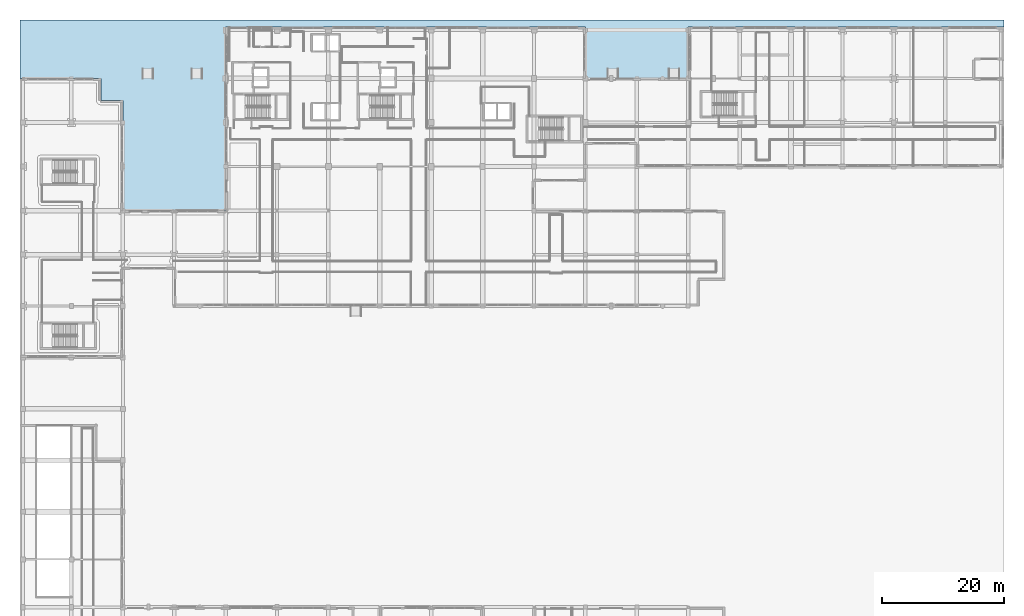
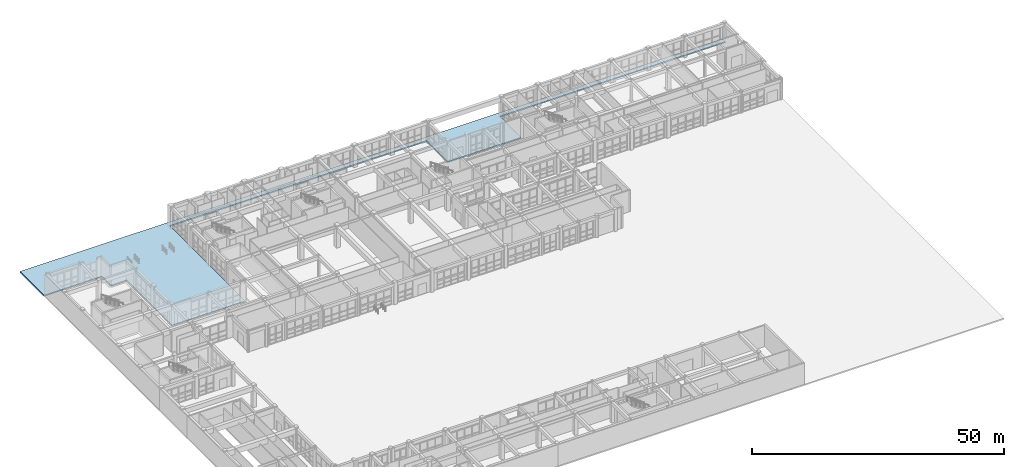
# One storey, part 118 of 148: 1 slab.
"""IFC4 building model written with IfcOpenShell, lengths in metres."""

from ifc_helpers import new_model, si_unit, direction, frame, origin, place, context, subcontext, project, spatial, polyline, outline, extrude, material, layer, layer_set, type_object, element, save


model = new_model("IFC4")

# Units and contexts
model_context = context("Model", 3, precision=1e-05, world=origin(), true_north=direction((0.0, 1.0)))
body_context = subcontext(model_context, "Body", "Model", "MODEL_VIEW")
ifc_project = project(units=[si_unit("LENGTHUNIT", "METRE"), si_unit("AREAUNIT", "SQUARE_METRE"), si_unit("VOLUMEUNIT", "CUBIC_METRE"), si_unit("PLANEANGLEUNIT", "RADIAN"), si_unit("MASSUNIT", "GRAM", prefix="KILO")], contexts=[model_context])

# Site, building, storey
site_placement = place(None, origin())
site = spatial("IfcSite", under=ifc_project, at=site_placement, CompositionType="ELEMENT")
building_placement = place(site_placement, origin())
building = spatial("IfcBuilding", under=site, at=building_placement, Name="Quendrovan Civic Courthouse", CompositionType="ELEMENT")
storey_placement = place(building_placement, origin())
storey = spatial("IfcBuildingStorey", under=building, at=storey_placement, Name="L01", CompositionType="ELEMENT", Elevation=0.0)

# Slab
ifc_material = material(Name="Concrete C35/45", Category="concrete")
ifc_layer = layer(ifc_material, 0.300048828125, Name="Concrete C35/45")
ifc_layer_set = layer_set([ifc_layer], Name="Concrete C35/45")
slab_type = type_object("IfcSlabType", Name="SLB-BASE-300", PredefinedType="BASESLAB", material=ifc_layer_set)
slab_placement = place(storey_placement, frame((0.0, 0.0, -0.300048828125)))
element("IfcSlab", 1, at=slab_placement, inside=storey, type_object=slab_type, Name="L01 Civic Courtyard and Colonnade Plaza Slab 3", PredefinedType="BASESLAB", context=body_context, shape_type="SweptSolid", body=[
    extrude(outline(polyline([(160.800048828125, 111.550048828125), (160.800048828125, 110.409912109375), (109.199951171875, 110.409912109375), (109.198974609375, 110.409912109375), (109.197998046875, 110.409912109375), (109.197021484375, 110.40966796875), (109.1962890625, 110.4091796875), (109.1953125, 110.40869140625), (109.1943359375, 110.408203125), (109.193603515625, 110.40771484375), (109.19287109375, 110.406982421875), (109.1923828125, 110.40625), (109.191650390625, 110.405517578125), (109.191162109375, 110.40478515625), (109.19091796875, 110.40380859375), (109.1904296875, 110.40283203125), (109.190185546875, 110.402099609375), (109.18994140625, 110.40087890625), (109.18994140625, 110.39990234375), (109.18994140625, 102.010009765625), (92.409912109375, 102.010009765625), (92.409912109375, 110.39990234375), (92.409912109375, 110.40087890625), (92.409912109375, 110.402099609375), (92.40966796875, 110.40283203125), (92.4091796875, 110.40380859375), (92.40869140625, 110.40478515625), (92.408203125, 110.405517578125), (92.40771484375, 110.40625), (92.406982421875, 110.406982421875), (92.40625, 110.40771484375), (92.405517578125, 110.408203125), (92.40478515625, 110.40869140625), (92.40380859375, 110.4091796875), (92.40283203125, 110.40966796875), (92.402099609375, 110.409912109375), (92.40087890625, 110.409912109375), (92.39990234375, 110.409912109375), (33.60009765625, 110.409912109375), (33.59912109375, 110.409912109375), (33.597900390625, 110.409912109375), (33.59716796875, 110.40966796875), (33.59619140625, 110.4091796875), (33.59521484375, 110.40869140625), (33.594482421875, 110.408203125), (33.59375, 110.40771484375), (33.593017578125, 110.406982421875), (33.59228515625, 110.40625), (33.591796875, 110.405517578125), (33.59130859375, 110.40478515625), (33.5908203125, 110.40380859375), (33.59033203125, 110.40283203125), (33.590087890625, 110.402099609375), (33.590087890625, 110.40087890625), (33.590087890625, 110.39990234375), (33.590087890625, 80.409912109375), (16.81005859375, 80.409912109375), (16.81005859375, 98.39990234375), (16.81005859375, 98.40087890625), (16.809814453125, 98.402099609375), (16.8095703125, 98.40283203125), (16.80908203125, 98.40380859375), (16.808837890625, 98.40478515625), (16.808349609375, 98.405517578125), (16.8076171875, 98.40625), (16.80712890625, 98.406982421875), (16.806396484375, 98.40771484375), (16.8056640625, 98.408203125), (16.8046875, 98.40869140625), (16.8037109375, 98.4091796875), (16.802978515625, 98.40966796875), (16.802001953125, 98.409912109375), (16.801025390625, 98.409912109375), (16.800048828125, 98.409912109375), (13.2099609375, 98.409912109375), (13.2099609375, 102.0), (13.2099609375, 102.0009765625), (13.209716796875, 102.001953125), (13.209716796875, 102.0029296875), (13.209228515625, 102.00390625), (13.208740234375, 102.004638671875), (13.208251953125, 102.005615234375), (13.207763671875, 102.00634765625), (13.20703125, 102.007080078125), (13.206298828125, 102.0078125), (13.20556640625, 102.00830078125), (13.20458984375, 102.0087890625), (13.203857421875, 102.00927734375), (13.202880859375, 102.009521484375), (13.201904296875, 102.009765625), (13.200927734375, 102.010009765625), (13.199951171875, 102.010009765625), (0.0, 102.010009765625), (0.0, 111.550048828125), (160.800048828125, 111.550048828125)])), origin(), (0.0, 0.0, 1.0), 0.300048828125),
])

save(model, "model.ifc")
